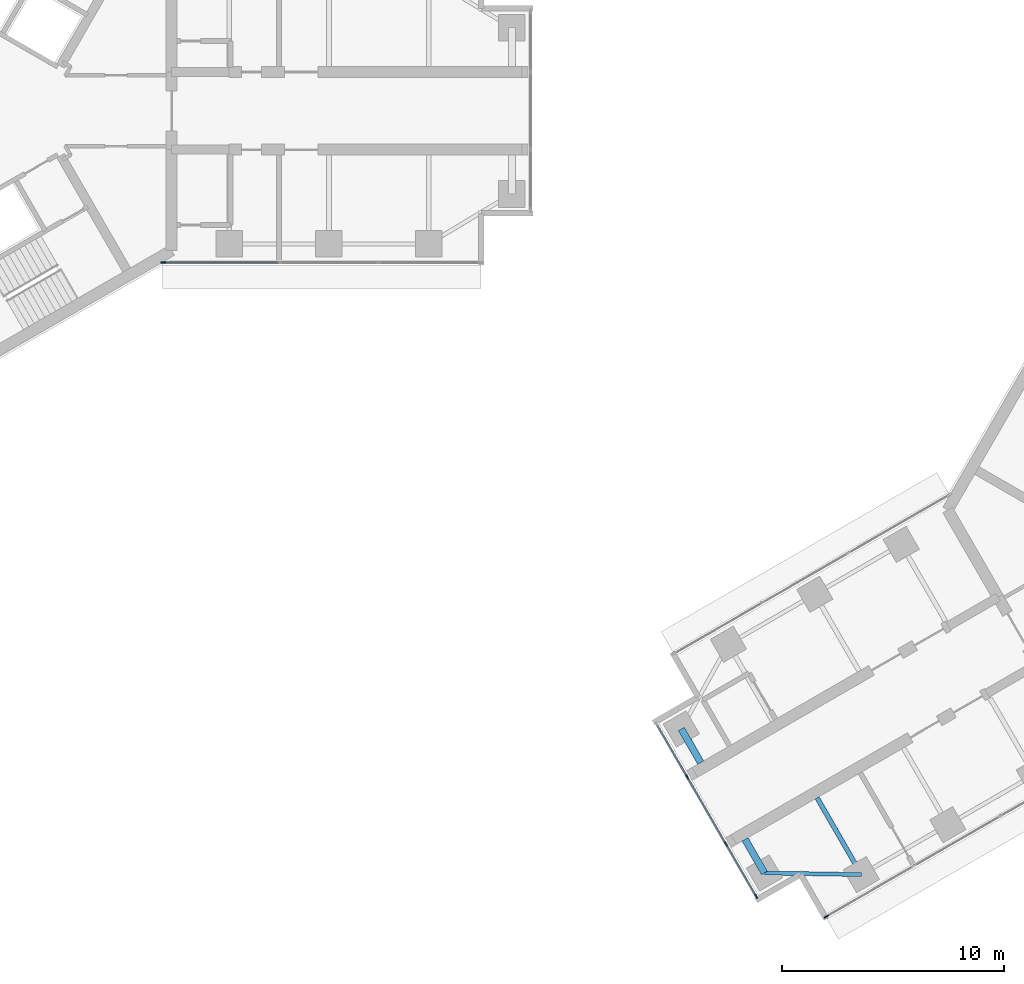
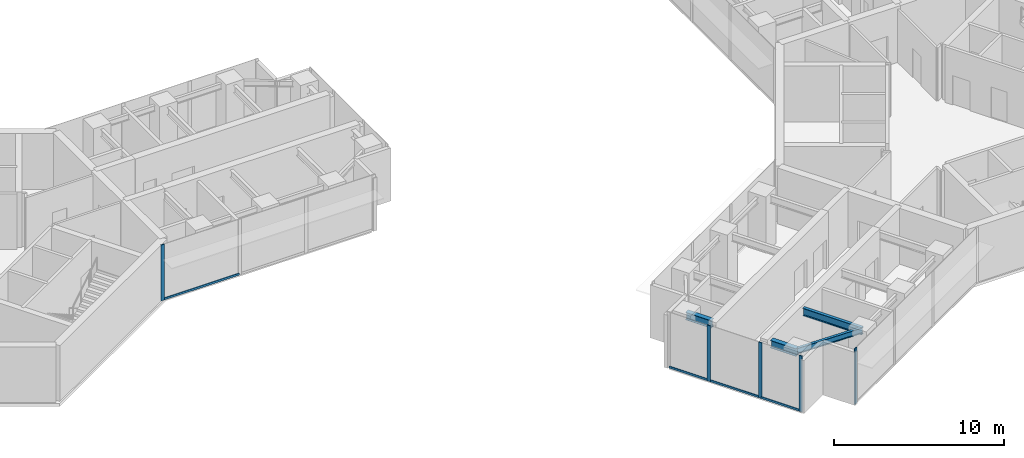
# One storey, part 2 of 17: 9 members, 4 beams, 3 elements without a shape of their own.
"""IFC4 building model written with IfcOpenShell, lengths in metres."""

from ifc_helpers import new_model, si_unit, direction, frame, origin, origin_2d, place, context, subcontext, project, spatial, rectangle, i_section, extrude, material, material_profile, profile_set, type_object, element, aggregate, save


model = new_model("IFC4")

# Units and contexts
model_context = context("Model", 3, precision=1e-05, world=origin(), true_north=direction((0.0, 1.0)))
body_context = subcontext(model_context, "Body", "Model", "MODEL_VIEW")
ifc_project = project(units=[si_unit("LENGTHUNIT", "METRE"), si_unit("AREAUNIT", "SQUARE_METRE"), si_unit("VOLUMEUNIT", "CUBIC_METRE"), si_unit("PLANEANGLEUNIT", "RADIAN"), si_unit("MASSUNIT", "GRAM", prefix="KILO")], contexts=[model_context])

# Site, building, storey
site_placement = place(None, origin())
site = spatial("IfcSite", under=ifc_project, at=site_placement, CompositionType="ELEMENT")
building_placement = place(site_placement, origin())
building = spatial("IfcBuilding", under=site, at=building_placement, Name="Upepo Twin Towers", CompositionType="ELEMENT")
storey_placement = place(building_placement, frame((0.0, 0.0, 178.5)))
storey = spatial("IfcBuildingStorey", under=building, at=storey_placement, Name="L43", CompositionType="ELEMENT", Elevation=178.5)

# Beams
ifc_material_1 = material(Name="Steel S355", Category="steel")
ifc_material_profile_1 = material_profile(ifc_material_1, i_section(OverallWidth=0.177978515625, OverallDepth=0.406494140625, WebThickness=0.0078125, FlangeThickness=0.0126953125, FilletRadius=0.01025390625, at=origin_2d()), Name="UB 406x178x60")
ifc_profile_set_1 = profile_set([ifc_material_profile_1], Name="Steel S355")
beam_type_1 = type_object("IfcBeamType", Name="Beam UB 406x178x60", PredefinedType="BEAM", material=ifc_profile_set_1)
beam_1_placement = place(storey_placement, frame((42.014404296875, -34.446044921875, 3.5966796875), z_axis=(-0.999858804832, 0.016803880528, 0.0), x_axis=(-0.016803880528, -0.999858804832, 0.0)))
element("IfcBeam", 1, at=beam_1_placement, inside=storey, type_object=beam_type_1, Name="T2 nose edge beam BL", PredefinedType="BEAM", context=body_context, shape_type="SweptSolid", body=[
    extrude(i_section(OverallWidth=0.177978515625, OverallDepth=0.406494140625, WebThickness=0.0078125, FlangeThickness=0.0126953125, FilletRadius=0.01025390625, at=origin_2d()), origin(), (0.0, 0.0, 1.0), 4.373291015625),
])
ifc_material_2 = material(Name="Steel S355", Category="steel")
ifc_material_profile_2 = material_profile(ifc_material_2, i_section(OverallWidth=0.209228515625, OverallDepth=0.533203125, WebThickness=0.010009765625, FlangeThickness=0.015625, FilletRadius=0.0126953125, at=origin_2d()), Name="UB 533x210x92")
ifc_profile_set_2 = profile_set([ifc_material_profile_2], Name="Steel S355")
beam_type_2 = type_object("IfcBeamType", Name="Beam UB 533x210x92", PredefinedType="BEAM", material=ifc_profile_set_2)
beam_2_placement = place(storey_placement, frame((42.014404296875, -34.446044921875, 3.533447265625), z_axis=(-0.49999894854, 0.866026010844, 0.0), x_axis=(-0.866026010844, -0.49999894854, 0.0)))
element("IfcBeam", 2, at=beam_2_placement, inside=storey, type_object=beam_type_2, Name="T2 girder BL at 22.5", PredefinedType="BEAM", context=body_context, shape_type="SweptSolid", body=[
    extrude(i_section(OverallWidth=0.209228515625, OverallDepth=0.533203125, WebThickness=0.010009765625, FlangeThickness=0.015625, FilletRadius=0.0126953125, at=origin_2d()), origin(), (0.0, 0.0, 1.0), 4.0),
])
ifc_material_3 = material(Name="Steel S355", Category="steel")
ifc_material_profile_3 = material_profile(ifc_material_3, i_section(OverallWidth=0.31201171875, OverallDepth=0.54345703125, WebThickness=0.0126953125, FlangeThickness=0.020263671875, FilletRadius=0.0126953125, at=origin_2d()), Name="UB 533x312x150")
ifc_profile_set_3 = profile_set([ifc_material_profile_3], Name="Steel S355")
beam_type_3 = type_object("IfcBeamType", Name="Beam UB 533x312x150", PredefinedType="BEAM", material=ifc_profile_set_3)
for number, where, z_axis, x_axis, name in (
    (3, (37.641845703125, -34.37255859375, 3.5283203125), (-0.499980071345, 0.866036909293, 0.0), (-0.866036909293, -0.499980071345, 0.0), "T2 nose beam BL"),
    (4, (33.891845703125, -27.87744140625, 3.5283203125), (0.499980071345, -0.866036909293, 0.0), (0.866036909293, 0.499980071345, 0.0), "T2 nose beam BR"),
):
    element("IfcBeam", number, at=place(storey_placement, frame(where, z_axis=z_axis, x_axis=x_axis)), inside=storey, type_object=beam_type_3, Name=name, PredefinedType="BEAM", context=body_context, shape_type="SweptSolid", body=[
        extrude(i_section(OverallWidth=0.31201171875, OverallDepth=0.54345703125, WebThickness=0.0126953125, FlangeThickness=0.020263671875, FilletRadius=0.0126953125, at=origin_2d()), origin(), (0.0, 0.0, 1.0), 1.75),
    ])

# Curtain wall, member
ifc_material_4 = material(Name="Aluminium and fritted glass", Category="aluminium")
curtain_wall_type = type_object("IfcCurtainWallType", Name="Tower curtain wall TW3, fritted glass", PredefinedType="NOTDEFINED", material=ifc_material_4)
curtain_wall_1_placement = place(storey_placement, origin())
curtain_wall_1 = element("IfcCurtainWall", 5, at=curtain_wall_1_placement, inside=storey, type_object=curtain_wall_type, Name="T1 L43 wing A flank R curtain wall", PredefinedType="NOTDEFINED")
ifc_material_5 = material(Name="Aluminium mullion", Category="aluminium")
ifc_material_profile_4 = material_profile(ifc_material_5, rectangle(XDim=0.06494140625, YDim=0.22509765625, at=origin_2d()), Name="MULLION 65x225")
ifc_profile_set_4 = profile_set([ifc_material_profile_4], Name="Aluminium mullion")
member_type_1 = type_object("IfcMemberType", Name="Mullion 65x225 TW3", PredefinedType="MULLION", material=ifc_profile_set_4)
member_1_placement = place(storey_placement, frame((10.51953125, -6.85009765625, 0.0), z_axis=(0.0, 0.0, 1.0), x_axis=(0.0, -1.0, 0.0)))
member_1 = element("IfcMember", 6, at=member_1_placement, type_object=member_type_1, Name="T1 L43 wing A flank R curtain wall mullion 4", PredefinedType="MULLION", context=body_context, shape_type="SweptSolid", body=[
    extrude(rectangle(XDim=0.06494140625, YDim=0.22509765625, at=origin_2d()), origin(), (0.0, 0.0, 1.0), 4.0),
])

curtain_wall_2_placement = place(storey_placement, origin())
curtain_wall_2 = element("IfcCurtainWall", 7, at=curtain_wall_2_placement, inside=storey, type_object=curtain_wall_type, Name="T2 L43 wing B flank L curtain wall", PredefinedType="NOTDEFINED")
member_2_placement = place(storey_placement, frame((40.432373046875, -36.341064453125, 0.0), z_axis=(0.0, 0.0, 1.0), x_axis=(0.500000026527, -0.866025388469, 0.0)))
member_2 = element("IfcMember", 8, at=member_2_placement, type_object=member_type_1, Name="T2 L43 wing B flank L curtain wall mullion 4", PredefinedType="MULLION", context=body_context, shape_type="SweptSolid", body=[
    extrude(rectangle(XDim=0.06494140625, YDim=0.22509765625, at=origin_2d()), origin(), (0.0, 0.0, 1.0), 4.0),
])
aggregate(curtain_wall_2, [member_2])

# Curtain wall, members
curtain_wall_3_placement = place(storey_placement, origin())
curtain_wall_3 = element("IfcCurtainWall", 9, at=curtain_wall_3_placement, inside=storey, type_object=curtain_wall_type, Name="T2 L43 wing B nose curtain wall", PredefinedType="NOTDEFINED")
member_3_placement = place(storey_placement, frame((34.15576171875, -30.034423828125, 0.0), z_axis=(0.0, 0.0, 1.0), x_axis=(0.866025386174, 0.500000030502, 0.0)))
member_3 = element("IfcMember", 10, at=member_3_placement, type_object=member_type_1, Name="T2 L43 wing B nose curtain wall mullion 2", PredefinedType="MULLION", context=body_context, shape_type="SweptSolid", body=[
    extrude(rectangle(XDim=0.06494140625, YDim=0.22509765625, at=origin_2d()), origin(), (0.0, 0.0, 1.0), 4.0),
])
member_4_placement = place(storey_placement, frame((35.90576171875, -33.0654296875, 0.0), z_axis=(0.0, 0.0, 1.0), x_axis=(0.866025386174, 0.500000030502, 0.0)))
member_4 = element("IfcMember", 11, at=member_4_placement, type_object=member_type_1, Name="T2 L43 wing B nose curtain wall mullion 3", PredefinedType="MULLION", context=body_context, shape_type="SweptSolid", body=[
    extrude(rectangle(XDim=0.06494140625, YDim=0.22509765625, at=origin_2d()), origin(), (0.0, 0.0, 1.0), 4.0),
])
member_5_placement = place(storey_placement, frame((37.264404296875, -35.4189453125, 0.0), z_axis=(0.0, 0.0, 1.0), x_axis=(0.866025386174, 0.500000030502, 0.0)))
member_5 = element("IfcMember", 12, at=member_5_placement, type_object=member_type_1, Name="T2 L43 wing B nose curtain wall mullion 4", PredefinedType="MULLION", context=body_context, shape_type="SweptSolid", body=[
    extrude(rectangle(XDim=0.06494140625, YDim=0.22509765625, at=origin_2d()), origin(), (0.0, 0.0, 1.0), 4.0),
])

# Member
ifc_material_6 = material(Name="Aluminium transom", Category="aluminium")
ifc_material_profile_5 = material_profile(ifc_material_6, rectangle(XDim=0.06494140625, YDim=0.14990234375, at=origin_2d()), Name="TRANSOM 65x150")
ifc_profile_set_5 = profile_set([ifc_material_profile_5], Name="Aluminium transom")
member_type_2 = type_object("IfcMemberType", Name="Transom 65x150 TW3", PredefinedType="USERDEFINED", material=ifc_profile_set_5)
member_6_placement = place(storey_placement, frame((15.717529296875, -6.85009765625, 0.074951171875), z_axis=(-1.0, 0.0, 0.0), x_axis=(0.0, -1.0, 0.0)))
member_6 = element("IfcMember", 13, at=member_6_placement, type_object=member_type_2, Name="T1 L43 wing A flank R curtain wall transom 3", ObjectType="TRANSOM", PredefinedType="USERDEFINED", context=body_context, shape_type="SweptSolid", body=[
    extrude(rectangle(XDim=0.06494140625, YDim=0.14990234375, at=origin_2d()), origin(), (0.0, 0.0, 1.0), 5.16552734375),
])

aggregate(curtain_wall_1, [member_1, member_6])

member_7_placement = place(storey_placement, frame((32.813232421875, -27.709228515625, 0.074951171875), z_axis=(0.499980071345, -0.866036909293, 0.0), x_axis=(0.866036909293, 0.499980071345, 0.0)))
member_7 = element("IfcMember", 14, at=member_7_placement, type_object=member_type_2, Name="T2 L43 wing B nose curtain wall transom 1", ObjectType="TRANSOM", PredefinedType="USERDEFINED", context=body_context, shape_type="SweptSolid", body=[
    extrude(rectangle(XDim=0.06494140625, YDim=0.14990234375, at=origin_2d()), origin(), (0.0, 0.0, 1.0), 2.65234375),
])

member_8_placement = place(storey_placement, frame((34.171875, -30.0625, 0.074951171875), z_axis=(0.499999305434, -0.866025804792, 0.0), x_axis=(0.866025804792, 0.499999305434, 0.0)))
member_8 = element("IfcMember", 15, at=member_8_placement, type_object=member_type_2, Name="T2 L43 wing B nose curtain wall transom 2", ObjectType="TRANSOM", PredefinedType="USERDEFINED", context=body_context, shape_type="SweptSolid", body=[
    extrude(rectangle(XDim=0.06494140625, YDim=0.14990234375, at=origin_2d()), origin(), (0.0, 0.0, 1.0), 3.43505859375),
])

member_9_placement = place(storey_placement, frame((35.921875, -33.09375, 0.074951171875), z_axis=(0.500049101008, -0.865997053448, 0.0), x_axis=(0.865997053448, 0.500049101008, 0.0)))
member_9 = element("IfcMember", 16, at=member_9_placement, type_object=member_type_2, Name="T2 L43 wing B nose curtain wall transom 3", ObjectType="TRANSOM", PredefinedType="USERDEFINED", context=body_context, shape_type="SweptSolid", body=[
    extrude(rectangle(XDim=0.06494140625, YDim=0.14990234375, at=origin_2d()), origin(), (0.0, 0.0, 1.0), 2.652587890625),
])

aggregate(curtain_wall_3, [member_3, member_4, member_5, member_7, member_8, member_9])

save(model, "model.ifc")
